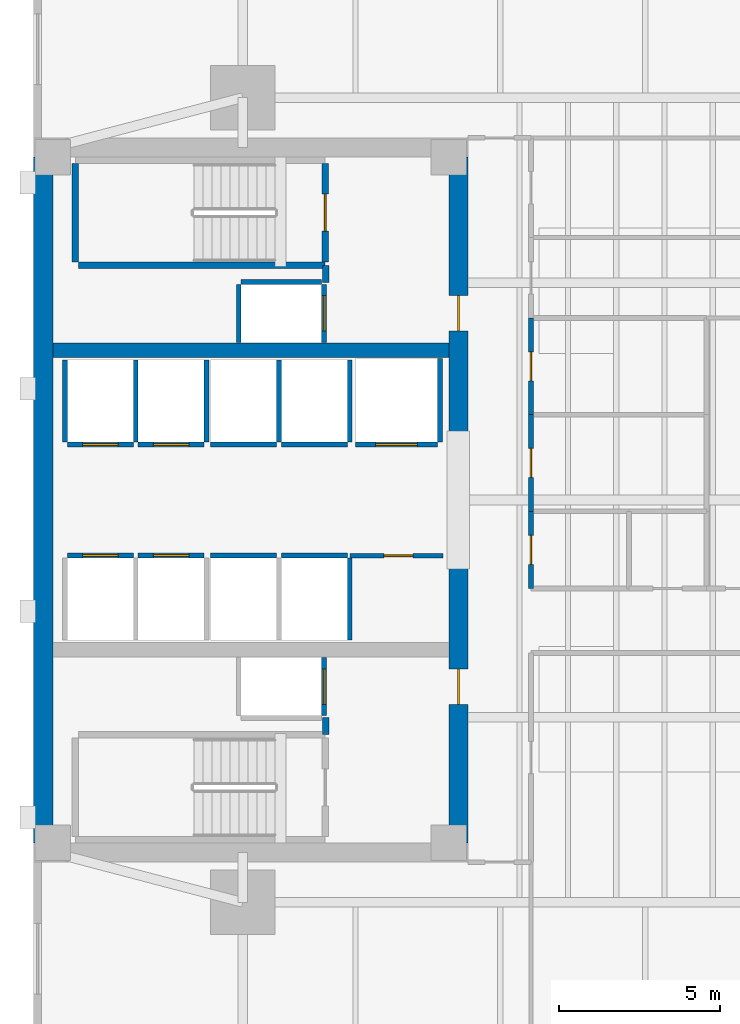
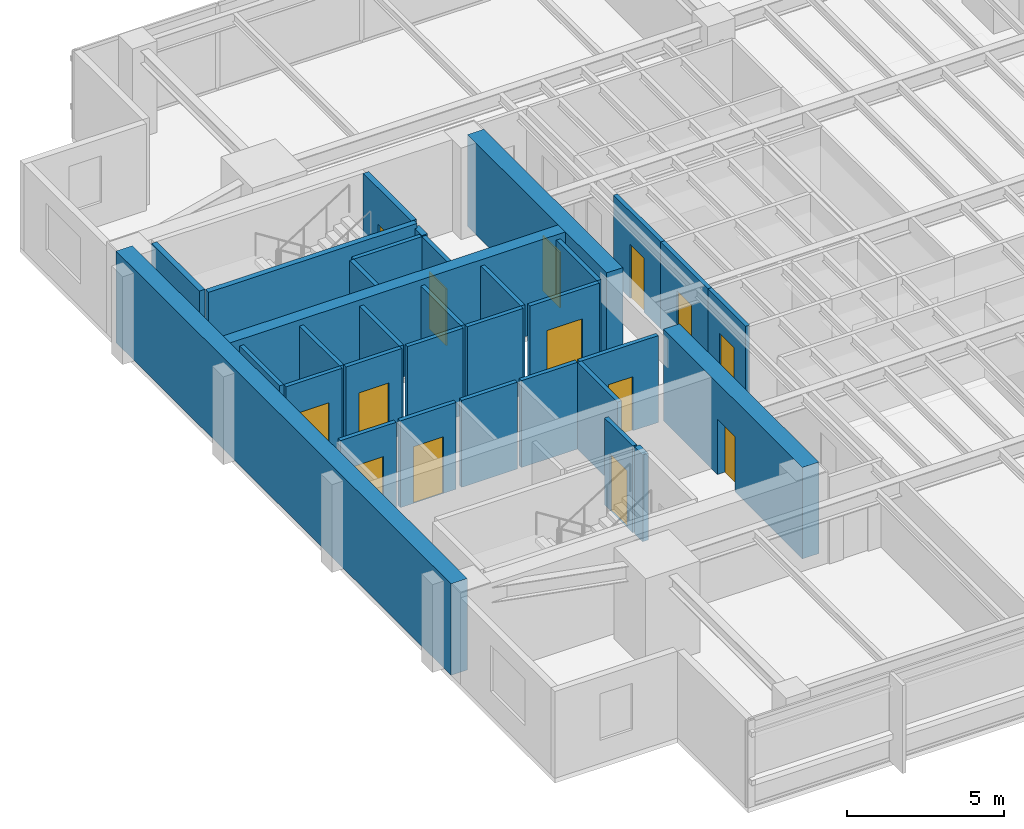
# One storey, part 8 of 15: 33 walls, 14 doors, 14 openings.
"""IFC4 building model written with IfcOpenShell, lengths in metres."""

from ifc_helpers import new_model, si_unit, direction, frame, frame_2d, origin, place, context, subcontext, project, spatial, rectangle, extrude, material, layer, layer_set, type_object, element, fill, save


model = new_model("IFC4")

# Units and contexts
model_context = context("Model", 3, precision=1e-05, world=origin(), true_north=direction((0.0, 1.0)))
body_context = subcontext(model_context, "Body", "Model", "MODEL_VIEW")
ifc_project = project(units=[si_unit("LENGTHUNIT", "METRE"), si_unit("AREAUNIT", "SQUARE_METRE"), si_unit("VOLUMEUNIT", "CUBIC_METRE"), si_unit("PLANEANGLEUNIT", "RADIAN"), si_unit("MASSUNIT", "GRAM", prefix="KILO")], contexts=[model_context])

# Site, building, storey
site_placement = place(None, origin())
site = spatial("IfcSite", under=ifc_project, at=site_placement, CompositionType="ELEMENT")
building_placement = place(site_placement, origin())
building = spatial("IfcBuilding", under=site, at=building_placement, Name="Kinhvarn Gate Tower", CompositionType="ELEMENT")
storey_placement = place(building_placement, frame((0.0, 0.0, 105.800048828125)))
storey = spatial("IfcBuildingStorey", under=building, at=storey_placement, Name="L27", CompositionType="ELEMENT", Elevation=105.800048828125)

# Wall
ifc_material_1 = material(Name="Concrete C50/60", Category="concrete")
ifc_layer_1 = layer(ifc_material_1, 0.449951171875)
ifc_layer_set_1 = layer_set([ifc_layer_1], Name="Concrete C50/60")
wall_type_1 = type_object("IfcWallType", Name="WL-CORE-450", PredefinedType="SHEAR", material=ifc_layer_set_1)
wall_1_placement = place(storey_placement, frame((5.10009765625, 29.89990234375, 0.0), z_axis=(0.0, 0.0, 1.0), x_axis=(1.0, 0.0, 0.0)))
element("IfcWall", 1, at=wall_1_placement, inside=storey, type_object=wall_type_1, Name="Core North Spine Shear Wall L27 450 mm", PredefinedType="SHEAR", context=body_context, shape_type="SweptSolid", body=[
    extrude(rectangle(XDim=12.2998046875, YDim=0.449951171875, at=frame_2d((6.14990234375, 0.0))), origin(), (0.0, 0.0, 1.0), 3.550048828125),
])

# Wall, opening, door
ifc_material_2 = material(Name="Concrete C60/75", Category="concrete")
ifc_layer_2 = layer(ifc_material_2, 0.60009765625)
ifc_layer_set_2 = layer_set([ifc_layer_2], Name="Concrete C60/75")
wall_type_2 = type_object("IfcWallType", Name="WL-CORE-600", PredefinedType="SHEAR", material=ifc_layer_set_2)
wall_2_placement = place(storey_placement, frame((17.699951171875, 14.60009765625, 0.0), z_axis=(0.0, 0.0, 1.0), x_axis=(0.0, 1.0, 0.0)))
wall_2 = element("IfcWall", 2, at=wall_2_placement, inside=storey, type_object=wall_type_2, Name="Core East-South Shear Pier L27 600 mm", PredefinedType="SHEAR", context=body_context, shape_type="SweptSolid", body=[
    extrude(rectangle(XDim=8.849853515625, YDim=0.60009765625, at=frame_2d((4.4248046875, 0.0))), origin(), (0.0, 0.0, 1.0), 3.550048828125),
])
opening_1_placement = place(wall_2_placement, frame((4.300048828125, 0.0, 0.0)))
opening_1 = element("IfcOpeningElement", 3, at=opening_1_placement, cuts=wall_2, Name="Opening FD-02", PredefinedType="OPENING", context=body_context, shape_type="SweptSolid", body=[
    extrude(rectangle(XDim=1.10009765625, YDim=2.14990234375, at=frame_2d((0.550048828125, 1.074951171875))), frame((0.0, 0.31005859375, 0.0), z_axis=(0.0, -1.0, 0.0), x_axis=(1.0, 0.0, 0.0)), (0.0, 0.0, 1.0), 0.6201171875),
])
ifc_material_3 = material(Name="Anodised aluminium AW-6063", Category="aluminium")
door_type_1 = type_object("IfcDoorType", Name="DR-FD-1100", OperationType="NOTDEFINED", PredefinedType="DOOR", material=ifc_material_3)
door_1_placement = place(opening_1_placement, origin())
door_1 = element("IfcDoor", 4, at=door_1_placement, inside=storey, type_object=door_type_1, Name="Firefighting Lobby Core Door (L27)", OperationType="SINGLE_SWING_RIGHT", OverallHeight=2.14990234375, OverallWidth=1.10009765625, PredefinedType="DOOR", context=body_context, shape_type="SweptSolid", body=[
    extrude(rectangle(XDim=1.10009765625, YDim=2.14990234375, at=frame_2d((0.550048828125, 1.074951171875))), frame((0.0, 0.02490234375, 0.0), z_axis=(0.0, -1.0, 0.0), x_axis=(1.0, 0.0, 0.0)), (0.0, 0.0, 1.0), 0.050048828125),
])
fill(opening_1, door_1)

wall_3_placement = place(storey_placement, frame((17.699951171875, 27.050048828125, 0.0), z_axis=(0.0, 0.0, 1.0), x_axis=(0.0, 1.0, 0.0)))
wall_3 = element("IfcWall", 5, at=wall_3_placement, inside=storey, type_object=wall_type_2, Name="Core East-North Shear Pier L27 600 mm", PredefinedType="SHEAR", context=body_context, shape_type="SweptSolid", body=[
    extrude(rectangle(XDim=8.849853515625, YDim=0.60009765625, at=frame_2d((4.4248046875, 0.0))), origin(), (0.0, 0.0, 1.0), 3.550048828125),
])
opening_2_placement = place(wall_3_placement, frame((3.449951171875, 0.0, 0.0)))
opening_2 = element("IfcOpeningElement", 6, at=opening_2_placement, cuts=wall_3, Name="Opening FD-02", PredefinedType="OPENING", context=body_context, shape_type="SweptSolid", body=[
    extrude(rectangle(XDim=1.10009765625, YDim=2.14990234375, at=frame_2d((0.550048828125, 1.074951171875))), frame((0.0, 0.31005859375, 0.0), z_axis=(0.0, -1.0, 0.0), x_axis=(1.0, 0.0, 0.0)), (0.0, 0.0, 1.0), 0.6201171875),
])
door_2_placement = place(opening_2_placement, origin())
door_2 = element("IfcDoor", 7, at=door_2_placement, inside=storey, type_object=door_type_1, Name="Firefighting Lobby Core Door (L27)", OperationType="SINGLE_SWING_LEFT", OverallHeight=2.14990234375, OverallWidth=1.10009765625, PredefinedType="DOOR", context=body_context, shape_type="SweptSolid", body=[
    extrude(rectangle(XDim=1.10009765625, YDim=2.14990234375, at=frame_2d((0.550048828125, 1.074951171875))), frame((0.0, 0.02490234375, 0.0), z_axis=(0.0, -1.0, 0.0), x_axis=(1.0, 0.0, 0.0)), (0.0, 0.0, 1.0), 0.050048828125),
])
fill(opening_2, door_2)

# Wall
ifc_layer_3 = layer(ifc_material_2, 0.60009765625)
ifc_layer_set_3 = layer_set([ifc_layer_3], Name="Concrete C60/75")
wall_type_3 = type_object("IfcWallType", Name="WL-COREX-600", PredefinedType="SHEAR", material=ifc_layer_set_3)
wall_4_placement = place(storey_placement, frame((4.800048828125, 14.60009765625, 0.0), z_axis=(0.0, 0.0, 1.0), x_axis=(0.0, 1.0, 0.0)))
element("IfcWall", 8, at=wall_4_placement, inside=storey, type_object=wall_type_3, Name="Core West Shear Wall L27 600 mm", PredefinedType="SHEAR", context=body_context, shape_type="SweptSolid", body=[
    extrude(rectangle(XDim=21.2998046875, YDim=0.60009765625, at=frame_2d((10.64990234375, 0.0))), origin(), (0.0, 0.0, 1.0), 3.550048828125),
])

# Wall, opening, door
ifc_material_4 = material(Name="Gypsum acoustic partition board")
ifc_layer_4 = layer(ifc_material_4, 0.14990234375)
ifc_layer_set_4 = layer_set([ifc_layer_4], Name="Gypsum acoustic partition board")
wall_type_4 = type_object("IfcWallType", Name="WL-PLM-150F", PredefinedType="PLUMBINGWALL", material=ifc_layer_set_4)
wall_5_placement = place(storey_placement, frame((19.949951171875, 22.5, 0.0), z_axis=(0.0, 0.0, 1.0), x_axis=(0.0, 1.0, 0.0)))
wall_5 = element("IfcWall", 9, at=wall_5_placement, inside=storey, type_object=wall_type_4, Name="Interior Partition PLW-150F (L27)", PredefinedType="PLUMBINGWALL", context=body_context, shape_type="SweptSolid", body=[
    extrude(rectangle(XDim=2.39990234375, YDim=0.14990234375, at=frame_2d((1.199951171875, 0.0))), origin(), (0.0, 0.0, 1.0), 3.369873046875),
])
opening_3_placement = place(wall_5_placement, frame((0.75, 0.0, 0.0)))
opening_3 = element("IfcOpeningElement", 10, at=opening_3_placement, cuts=wall_5, Name="Opening FD-04", PredefinedType="OPENING", context=body_context, shape_type="SweptSolid", body=[
    extrude(rectangle(XDim=0.89990234375, YDim=2.10009765625, at=frame_2d((0.449951171875, 1.050048828125))), frame((0.0, 0.0849609375, 0.0), z_axis=(0.0, -1.0, 0.0), x_axis=(1.0, 0.0, 0.0)), (0.0, 0.0, 1.0), 0.169921875),
])
door_type_2 = type_object("IfcDoorType", Name="DR-FD-900", OperationType="NOTDEFINED", PredefinedType="DOOR", material=ifc_material_3)
door_3_placement = place(opening_3_placement, origin())
door_3 = element("IfcDoor", 11, at=door_3_placement, inside=storey, type_object=door_type_2, Name="Rated Riser & Service Closet Fire Door 900x2100 mm (L27)", OperationType="SINGLE_SWING_LEFT", OverallHeight=2.10009765625, OverallWidth=0.89990234375, PredefinedType="DOOR", context=body_context, shape_type="SweptSolid", body=[
    extrude(rectangle(XDim=0.89990234375, YDim=2.10009765625, at=frame_2d((0.449951171875, 1.050048828125))), frame((0.0, 0.02490234375, 0.0), z_axis=(0.0, -1.0, 0.0), x_axis=(1.0, 0.0, 0.0)), (0.0, 0.0, 1.0), 0.050048828125),
])
fill(opening_3, door_3)

wall_6_placement = place(storey_placement, frame((19.949951171875, 24.89990234375, 0.0), z_axis=(0.0, 0.0, 1.0), x_axis=(0.0, 1.0, 0.0)))
wall_6 = element("IfcWall", 12, at=wall_6_placement, inside=storey, type_object=wall_type_4, Name="Interior Partition PLW-150F (L27)", PredefinedType="PLUMBINGWALL", context=body_context, shape_type="SweptSolid", body=[
    extrude(rectangle(XDim=3.0, YDim=0.14990234375, at=frame_2d((1.5, 0.0))), origin(), (0.0, 0.0, 1.0), 3.369873046875),
])
opening_4_placement = place(wall_6_placement, frame((1.050048828125, 0.0, 0.0)))
opening_4 = element("IfcOpeningElement", 13, at=opening_4_placement, cuts=wall_6, Name="Opening FD-04", PredefinedType="OPENING", context=body_context, shape_type="SweptSolid", body=[
    extrude(rectangle(XDim=0.89990234375, YDim=2.10009765625, at=frame_2d((0.449951171875, 1.050048828125))), frame((0.0, 0.0849609375, 0.0), z_axis=(0.0, -1.0, 0.0), x_axis=(1.0, 0.0, 0.0)), (0.0, 0.0, 1.0), 0.169921875),
])
door_4_placement = place(opening_4_placement, origin())
door_4 = element("IfcDoor", 14, at=door_4_placement, inside=storey, type_object=door_type_2, Name="Rated Riser & Service Closet Fire Door 900x2100 mm (L27)", OperationType="SINGLE_SWING_RIGHT", OverallHeight=2.10009765625, OverallWidth=0.89990234375, PredefinedType="DOOR", context=body_context, shape_type="SweptSolid", body=[
    extrude(rectangle(XDim=0.89990234375, YDim=2.10009765625, at=frame_2d((0.449951171875, 1.050048828125))), frame((0.0, 0.02490234375, 0.0), z_axis=(0.0, -1.0, 0.0), x_axis=(1.0, 0.0, 0.0)), (0.0, 0.0, 1.0), 0.050048828125),
])
fill(opening_4, door_4)

wall_7_placement = place(storey_placement, frame((19.949951171875, 27.89990234375, 0.0), z_axis=(0.0, 0.0, 1.0), x_axis=(0.0, 1.0, 0.0)))
wall_7 = element("IfcWall", 15, at=wall_7_placement, inside=storey, type_object=wall_type_4, Name="Interior Partition PLW-150F (L27)", PredefinedType="PLUMBINGWALL", context=body_context, shape_type="SweptSolid", body=[
    extrude(rectangle(XDim=3.0, YDim=0.14990234375, at=frame_2d((1.5, 0.0))), origin(), (0.0, 0.0, 1.0), 3.369873046875),
])
opening_5_placement = place(wall_7_placement, frame((1.050048828125, 0.0, 0.0)))
opening_5 = element("IfcOpeningElement", 16, at=opening_5_placement, cuts=wall_7, Name="Opening FD-04", PredefinedType="OPENING", context=body_context, shape_type="SweptSolid", body=[
    extrude(rectangle(XDim=0.89990234375, YDim=2.10009765625, at=frame_2d((0.449951171875, 1.050048828125))), frame((0.0, 0.0849609375, 0.0), z_axis=(0.0, -1.0, 0.0), x_axis=(1.0, 0.0, 0.0)), (0.0, 0.0, 1.0), 0.169921875),
])
door_5_placement = place(opening_5_placement, origin())
door_5 = element("IfcDoor", 17, at=door_5_placement, inside=storey, type_object=door_type_2, Name="Rated Riser & Service Closet Fire Door 900x2100 mm (L27)", OperationType="SINGLE_SWING_LEFT", OverallHeight=2.10009765625, OverallWidth=0.89990234375, PredefinedType="DOOR", context=body_context, shape_type="SweptSolid", body=[
    extrude(rectangle(XDim=0.89990234375, YDim=2.10009765625, at=frame_2d((0.449951171875, 1.050048828125))), frame((0.0, 0.02490234375, 0.0), z_axis=(0.0, -1.0, 0.0), x_axis=(1.0, 0.0, 0.0)), (0.0, 0.0, 1.0), 0.050048828125),
])
fill(opening_5, door_5)

ifc_layer_5 = layer(ifc_material_4, 0.14990234375)
ifc_layer_set_5 = layer_set([ifc_layer_5], Name="Gypsum acoustic partition board")
wall_type_5 = type_object("IfcWallType", Name="WL-PRT-150F", PredefinedType="PARTITIONING", material=ifc_layer_set_5)
wall_8_placement = place(storey_placement, frame((14.330078125, 23.52001953125, 0.0), z_axis=(0.0, 0.0, 1.0), x_axis=(1.0, 0.0, 0.0)))
wall_8 = element("IfcWall", 18, at=wall_8_placement, inside=storey, type_object=wall_type_5, Name="Interior Partition PW-150F (L27)", PredefinedType="PARTITIONING", context=body_context, shape_type="SweptSolid", body=[
    extrude(rectangle(XDim=2.889892578125, YDim=0.14990234375, at=frame_2d((1.44482421875, 0.0))), origin(), (0.0, 0.0, 1.0), 3.369873046875),
])
opening_6_placement = place(wall_8_placement, frame((1.052734375, 0.0, 0.0)))
opening_6 = element("IfcOpeningElement", 19, at=opening_6_placement, cuts=wall_8, Name="Opening FD-04", PredefinedType="OPENING", context=body_context, shape_type="SweptSolid", body=[
    extrude(rectangle(XDim=0.89990234375, YDim=2.10009765625, at=frame_2d((0.449951171875, 1.050048828125))), frame((0.0, 0.0849609375, 0.0), z_axis=(0.0, -1.0, 0.0), x_axis=(1.0, 0.0, 0.0)), (0.0, 0.0, 1.0), 0.169921875),
])
door_6_placement = place(opening_6_placement, origin())
door_6 = element("IfcDoor", 20, at=door_6_placement, inside=storey, type_object=door_type_2, Name="Rated Riser & Service Closet Fire Door 900x2100 mm (L27)", OperationType="SINGLE_SWING_RIGHT", OverallHeight=2.10009765625, OverallWidth=0.89990234375, PredefinedType="DOOR", context=body_context, shape_type="SweptSolid", body=[
    extrude(rectangle(XDim=0.89990234375, YDim=2.10009765625, at=frame_2d((0.449951171875, 1.050048828125))), frame((0.0, 0.02490234375, 0.0), z_axis=(0.0, -1.0, 0.0), x_axis=(1.0, 0.0, 0.0)), (0.0, 0.0, 1.0), 0.050048828125),
])
fill(opening_6, door_6)

# Walls
ifc_layer_6 = layer(ifc_material_4, 0.199951171875)
ifc_layer_set_6 = layer_set([ifc_layer_6], Name="Gypsum acoustic partition board")
wall_type_6 = type_object("IfcWallType", Name="WL-PRT-200", PredefinedType="PARTITIONING", material=ifc_layer_set_6)
for number, where, z_axis, x_axis, name in (
    (21, (13.580078125, 17.9599609375, 0.0), (0.0, 0.0, 1.0), (0.0, 1.0, 0.0), "Interior Partition PW-200 (L27)"),
    (22, (13.580078125, 32.0, 0.0), (0.0, 0.0, 1.0), (0.0, 1.0, 0.0), "Interior Partition PW-200 (L27)"),
):
    element("IfcWall", number, at=place(storey_placement, frame(where, z_axis=z_axis, x_axis=x_axis)), inside=storey, type_object=wall_type_6, Name=name, PredefinedType="PARTITIONING", context=body_context, shape_type="SweptSolid", body=[
        extrude(rectangle(XDim=0.5400390625, YDim=0.199951171875, at=frame_2d((0.27001953125, 0.0))), origin(), (0.0, 0.0, 1.0), 3.369873046875),
    ])

# Wall, opening, door
ifc_layer_7 = layer(ifc_material_4, 0.14990234375)
ifc_layer_set_7 = layer_set([ifc_layer_7], Name="Gypsum acoustic partition board")
wall_type_7 = type_object("IfcWallType", Name="WL-SHF-150", PredefinedType="PARTITIONING", material=ifc_layer_set_7)
wall_9_placement = place(storey_placement, frame((5.550048828125, 23.52490234375, 0.0), z_axis=(0.0, 0.0, 1.0), x_axis=(1.0, 0.0, 0.0)))
wall_9 = element("IfcWall", 23, at=wall_9_placement, inside=storey, type_object=wall_type_7, Name="Elevator PM-05 Landing Wall (L27)", PredefinedType="PARTITIONING", context=body_context, shape_type="SweptSolid", body=[
    extrude(rectangle(XDim=2.050048828125, YDim=0.14990234375, at=frame_2d((1.02490234375, 0.0))), origin(), (0.0, 0.0, 1.0), 3.369873046875),
])
opening_7_placement = place(wall_9_placement, frame((0.47509765625, 0.0, 0.0)))
opening_7 = element("IfcOpeningElement", 24, at=opening_7_placement, cuts=wall_9, Name="Opening LD-01", PredefinedType="OPENING", context=body_context, shape_type="SweptSolid", body=[
    extrude(rectangle(XDim=1.10009765625, YDim=2.199951171875, at=frame_2d((0.550048828125, 1.10009765625))), frame((0.0, 0.0849609375, 0.0), z_axis=(0.0, -1.0, 0.0), x_axis=(1.0, 0.0, 0.0)), (0.0, 0.0, 1.0), 0.169921875),
])
door_type_3 = type_object("IfcDoorType", Name="DR-LND-PAS", OperationType="NOTDEFINED", PredefinedType="DOOR", material=ifc_material_3)
door_7_placement = place(opening_7_placement, origin())
door_7 = element("IfcDoor", 25, at=door_7_placement, inside=storey, type_object=door_type_3, Name="Elevator PM-05 Sliding Landing Door (L27)", OperationType="DOUBLE_DOOR_SLIDING", OverallHeight=2.199951171875, OverallWidth=1.10009765625, PredefinedType="DOOR", context=body_context, shape_type="SweptSolid", body=[
    extrude(rectangle(XDim=1.10009765625, YDim=2.199951171875, at=frame_2d((0.550048828125, 1.10009765625))), frame((0.0, 0.02490234375, 0.0), z_axis=(0.0, -1.0, 0.0), x_axis=(1.0, 0.0, 0.0)), (0.0, 0.0, 1.0), 0.050048828125),
])
fill(opening_7, door_7)

wall_10_placement = place(storey_placement, frame((7.75, 23.52490234375, 0.0), z_axis=(0.0, 0.0, 1.0), x_axis=(1.0, 0.0, 0.0)))
wall_10 = element("IfcWall", 26, at=wall_10_placement, inside=storey, type_object=wall_type_7, Name="Elevator PM-06 Landing Wall (L27)", PredefinedType="PARTITIONING", context=body_context, shape_type="SweptSolid", body=[
    extrude(rectangle(XDim=2.050048828125, YDim=0.14990234375, at=frame_2d((1.02490234375, 0.0))), origin(), (0.0, 0.0, 1.0), 3.369873046875),
])
opening_8_placement = place(wall_10_placement, frame((0.47509765625, 0.0, 0.0)))
opening_8 = element("IfcOpeningElement", 27, at=opening_8_placement, cuts=wall_10, Name="Opening LD-01", PredefinedType="OPENING", context=body_context, shape_type="SweptSolid", body=[
    extrude(rectangle(XDim=1.10009765625, YDim=2.199951171875, at=frame_2d((0.550048828125, 1.10009765625))), frame((0.0, 0.0849609375, 0.0), z_axis=(0.0, -1.0, 0.0), x_axis=(1.0, 0.0, 0.0)), (0.0, 0.0, 1.0), 0.169921875),
])
door_8_placement = place(opening_8_placement, origin())
door_8 = element("IfcDoor", 28, at=door_8_placement, inside=storey, type_object=door_type_3, Name="Elevator PM-06 Sliding Landing Door (L27)", OperationType="DOUBLE_DOOR_SLIDING", OverallHeight=2.199951171875, OverallWidth=1.10009765625, PredefinedType="DOOR", context=body_context, shape_type="SweptSolid", body=[
    extrude(rectangle(XDim=1.10009765625, YDim=2.199951171875, at=frame_2d((0.550048828125, 1.10009765625))), frame((0.0, 0.02490234375, 0.0), z_axis=(0.0, -1.0, 0.0), x_axis=(1.0, 0.0, 0.0)), (0.0, 0.0, 1.0), 0.050048828125),
])
fill(opening_8, door_8)

wall_11_placement = place(storey_placement, frame((5.550048828125, 26.97509765625, 0.0), z_axis=(0.0, 0.0, 1.0), x_axis=(1.0, 0.0, 0.0)))
wall_11 = element("IfcWall", 29, at=wall_11_placement, inside=storey, type_object=wall_type_7, Name="Elevator PM-07 Landing Wall (L27)", PredefinedType="PARTITIONING", context=body_context, shape_type="SweptSolid", body=[
    extrude(rectangle(XDim=2.050048828125, YDim=0.14990234375, at=frame_2d((1.02490234375, 0.0))), origin(), (0.0, 0.0, 1.0), 3.369873046875),
])
opening_9_placement = place(wall_11_placement, frame((0.47509765625, 0.0, 0.0)))
opening_9 = element("IfcOpeningElement", 30, at=opening_9_placement, cuts=wall_11, Name="Opening LD-01", PredefinedType="OPENING", context=body_context, shape_type="SweptSolid", body=[
    extrude(rectangle(XDim=1.10009765625, YDim=2.199951171875, at=frame_2d((0.550048828125, 1.10009765625))), frame((0.0, 0.0849609375, 0.0), z_axis=(0.0, -1.0, 0.0), x_axis=(1.0, 0.0, 0.0)), (0.0, 0.0, 1.0), 0.169921875),
])
door_9_placement = place(opening_9_placement, origin())
door_9 = element("IfcDoor", 31, at=door_9_placement, inside=storey, type_object=door_type_3, Name="Elevator PM-07 Sliding Landing Door (L27)", OperationType="DOUBLE_DOOR_SLIDING", OverallHeight=2.199951171875, OverallWidth=1.10009765625, PredefinedType="DOOR", context=body_context, shape_type="SweptSolid", body=[
    extrude(rectangle(XDim=1.10009765625, YDim=2.199951171875, at=frame_2d((0.550048828125, 1.10009765625))), frame((0.0, 0.02490234375, 0.0), z_axis=(0.0, -1.0, 0.0), x_axis=(1.0, 0.0, 0.0)), (0.0, 0.0, 1.0), 0.050048828125),
])
fill(opening_9, door_9)

# Walls
for number, where, z_axis, x_axis, name in (
    (32, (5.47509765625, 27.050048828125, 0.0), (0.0, 0.0, 1.0), (0.0, 1.0, 0.0), "Elevator PM-07 Hoistway Wall W (L27)"),
    (33, (7.675048828125, 27.050048828125, 0.0), (0.0, 0.0, 1.0), (0.0, 1.0, 0.0), "Elevator PM-07 Hoistway Wall E (L27)"),
):
    element("IfcWall", number, at=place(storey_placement, frame(where, z_axis=z_axis, x_axis=x_axis)), inside=storey, type_object=wall_type_7, Name=name, PredefinedType="PARTITIONING", context=body_context, shape_type="SweptSolid", body=[
        extrude(rectangle(XDim=2.550048828125, YDim=0.14990234375, at=frame_2d((1.27490234375, 0.0))), origin(), (0.0, 0.0, 1.0), 3.369873046875),
    ])

# Wall, opening, door
wall_12_placement = place(storey_placement, frame((7.75, 26.97509765625, 0.0), z_axis=(0.0, 0.0, 1.0), x_axis=(1.0, 0.0, 0.0)))
wall_12 = element("IfcWall", 34, at=wall_12_placement, inside=storey, type_object=wall_type_7, Name="Elevator PM-08 Landing Wall (L27)", PredefinedType="PARTITIONING", context=body_context, shape_type="SweptSolid", body=[
    extrude(rectangle(XDim=2.050048828125, YDim=0.14990234375, at=frame_2d((1.02490234375, 0.0))), origin(), (0.0, 0.0, 1.0), 3.369873046875),
])
opening_10_placement = place(wall_12_placement, frame((0.47509765625, 0.0, 0.0)))
opening_10 = element("IfcOpeningElement", 35, at=opening_10_placement, cuts=wall_12, Name="Opening LD-01", PredefinedType="OPENING", context=body_context, shape_type="SweptSolid", body=[
    extrude(rectangle(XDim=1.10009765625, YDim=2.199951171875, at=frame_2d((0.550048828125, 1.10009765625))), frame((0.0, 0.0849609375, 0.0), z_axis=(0.0, -1.0, 0.0), x_axis=(1.0, 0.0, 0.0)), (0.0, 0.0, 1.0), 0.169921875),
])
door_10_placement = place(opening_10_placement, origin())
door_10 = element("IfcDoor", 36, at=door_10_placement, inside=storey, type_object=door_type_3, Name="Elevator PM-08 Sliding Landing Door (L27)", OperationType="DOUBLE_DOOR_SLIDING", OverallHeight=2.199951171875, OverallWidth=1.10009765625, PredefinedType="DOOR", context=body_context, shape_type="SweptSolid", body=[
    extrude(rectangle(XDim=1.10009765625, YDim=2.199951171875, at=frame_2d((0.550048828125, 1.10009765625))), frame((0.0, 0.02490234375, 0.0), z_axis=(0.0, -1.0, 0.0), x_axis=(1.0, 0.0, 0.0)), (0.0, 0.0, 1.0), 0.050048828125),
])
fill(opening_10, door_10)

# Walls
wall_13_placement = place(storey_placement, frame((9.875, 27.050048828125, 0.0), z_axis=(0.0, 0.0, 1.0), x_axis=(0.0, 1.0, 0.0)))
element("IfcWall", 37, at=wall_13_placement, inside=storey, type_object=wall_type_7, Name="Elevator PM-08 Hoistway Wall E (L27)", PredefinedType="PARTITIONING", context=body_context, shape_type="SweptSolid", body=[
    extrude(rectangle(XDim=2.550048828125, YDim=0.14990234375, at=frame_2d((1.27490234375, 0.0))), origin(), (0.0, 0.0, 1.0), 3.369873046875),
])
for number, where, z_axis, x_axis, name in (
    (38, (10.0, 23.52490234375, 0.0), (0.0, 0.0, 1.0), (1.0, 0.0, 0.0), "Elevator PH-09 Landing Wall (L27)"),
    (39, (12.199951171875, 23.52490234375, 0.0), (0.0, 0.0, 1.0), (1.0, 0.0, 0.0), "Elevator PH-10 Landing Wall (L27)"),
):
    element("IfcWall", number, at=place(storey_placement, frame(where, z_axis=z_axis, x_axis=x_axis)), inside=storey, type_object=wall_type_7, Name=name, PredefinedType="PARTITIONING", context=body_context, shape_type="SweptSolid", body=[
        extrude(rectangle(XDim=2.050048828125, YDim=0.14990234375, at=frame_2d((1.02490234375, 0.0))), origin(), (0.0, 0.0, 1.0), 3.369873046875),
    ])
wall_14_placement = place(storey_placement, frame((14.324951171875, 20.89990234375, 0.0), z_axis=(0.0, 0.0, 1.0), x_axis=(0.0, 1.0, 0.0)))
element("IfcWall", 40, at=wall_14_placement, inside=storey, type_object=wall_type_7, Name="Elevator PH-10 Hoistway Wall E (L27)", PredefinedType="PARTITIONING", context=body_context, shape_type="SweptSolid", body=[
    extrude(rectangle(XDim=2.550048828125, YDim=0.14990234375, at=frame_2d((1.27490234375, 0.0))), origin(), (0.0, 0.0, 1.0), 3.369873046875),
])
wall_15_placement = place(storey_placement, frame((10.0, 26.97509765625, 0.0), z_axis=(0.0, 0.0, 1.0), x_axis=(1.0, 0.0, 0.0)))
element("IfcWall", 41, at=wall_15_placement, inside=storey, type_object=wall_type_7, Name="Elevator PH-11 Landing Wall (L27)", PredefinedType="PARTITIONING", context=body_context, shape_type="SweptSolid", body=[
    extrude(rectangle(XDim=2.050048828125, YDim=0.14990234375, at=frame_2d((1.02490234375, 0.0))), origin(), (0.0, 0.0, 1.0), 3.369873046875),
])
wall_16_placement = place(storey_placement, frame((12.125, 27.050048828125, 0.0), z_axis=(0.0, 0.0, 1.0), x_axis=(0.0, 1.0, 0.0)))
element("IfcWall", 42, at=wall_16_placement, inside=storey, type_object=wall_type_7, Name="Elevator PH-11 Hoistway Wall E (L27)", PredefinedType="PARTITIONING", context=body_context, shape_type="SweptSolid", body=[
    extrude(rectangle(XDim=2.550048828125, YDim=0.14990234375, at=frame_2d((1.27490234375, 0.0))), origin(), (0.0, 0.0, 1.0), 3.369873046875),
])
wall_17_placement = place(storey_placement, frame((12.199951171875, 26.97509765625, 0.0), z_axis=(0.0, 0.0, 1.0), x_axis=(1.0, 0.0, 0.0)))
element("IfcWall", 43, at=wall_17_placement, inside=storey, type_object=wall_type_7, Name="Elevator PH-12 Landing Wall (L27)", PredefinedType="PARTITIONING", context=body_context, shape_type="SweptSolid", body=[
    extrude(rectangle(XDim=2.050048828125, YDim=0.14990234375, at=frame_2d((1.02490234375, 0.0))), origin(), (0.0, 0.0, 1.0), 3.369873046875),
])
wall_18_placement = place(storey_placement, frame((14.324951171875, 27.050048828125, 0.0), z_axis=(0.0, 0.0, 1.0), x_axis=(0.0, 1.0, 0.0)))
element("IfcWall", 44, at=wall_18_placement, inside=storey, type_object=wall_type_7, Name="Elevator PH-12 Hoistway Wall E (L27)", PredefinedType="PARTITIONING", context=body_context, shape_type="SweptSolid", body=[
    extrude(rectangle(XDim=2.550048828125, YDim=0.14990234375, at=frame_2d((1.27490234375, 0.0))), origin(), (0.0, 0.0, 1.0), 3.369873046875),
])

# Wall, opening, door
wall_19_placement = place(storey_placement, frame((14.5, 26.97509765625, 0.0), z_axis=(0.0, 0.0, 1.0), x_axis=(1.0, 0.0, 0.0)))
wall_19 = element("IfcWall", 45, at=wall_19_placement, inside=storey, type_object=wall_type_7, Name="Elevator SV-01 Landing Wall (L27)", PredefinedType="PARTITIONING", context=body_context, shape_type="SweptSolid", body=[
    extrude(rectangle(XDim=2.550048828125, YDim=0.14990234375, at=frame_2d((1.27490234375, 0.0))), origin(), (0.0, 0.0, 1.0), 3.369873046875),
])
opening_11_placement = place(wall_19_placement, frame((0.625, 0.0, 0.0)))
opening_11 = element("IfcOpeningElement", 46, at=opening_11_placement, cuts=wall_19, Name="Opening LD-02", PredefinedType="OPENING", context=body_context, shape_type="SweptSolid", body=[
    extrude(rectangle(XDim=1.300048828125, YDim=2.199951171875, at=frame_2d((0.64990234375, 1.10009765625))), frame((0.0, 0.0849609375, 0.0), z_axis=(0.0, -1.0, 0.0), x_axis=(1.0, 0.0, 0.0)), (0.0, 0.0, 1.0), 0.169921875),
])
door_type_4 = type_object("IfcDoorType", Name="DR-LND-SRV", OperationType="NOTDEFINED", PredefinedType="DOOR", material=ifc_material_3)
door_11_placement = place(opening_11_placement, origin())
door_11 = element("IfcDoor", 47, at=door_11_placement, inside=storey, type_object=door_type_4, Name="Elevator SV-01 Sliding Landing Door (L27)", OperationType="DOUBLE_DOOR_SLIDING", OverallHeight=2.199951171875, OverallWidth=1.300048828125, PredefinedType="DOOR", context=body_context, shape_type="SweptSolid", body=[
    extrude(rectangle(XDim=1.300048828125, YDim=2.199951171875, at=frame_2d((0.64990234375, 1.10009765625))), frame((0.0, 0.02490234375, 0.0), z_axis=(0.0, -1.0, 0.0), x_axis=(1.0, 0.0, 0.0)), (0.0, 0.0, 1.0), 0.050048828125),
])
fill(opening_11, door_11)

# Wall
wall_20_placement = place(storey_placement, frame((17.125, 27.050048828125, 0.0), z_axis=(0.0, 0.0, 1.0), x_axis=(0.0, 1.0, 0.0)))
element("IfcWall", 48, at=wall_20_placement, inside=storey, type_object=wall_type_7, Name="Elevator SV-01 Hoistway Wall E (L27)", PredefinedType="PARTITIONING", context=body_context, shape_type="SweptSolid", body=[
    extrude(rectangle(XDim=2.599853515625, YDim=0.14990234375, at=frame_2d((1.2998046875, 0.0))), origin(), (0.0, 0.0, 1.0), 3.369873046875),
])

# Wall, opening, door
wall_21_placement = place(storey_placement, frame((13.52490234375, 18.550048828125, 0.0), z_axis=(0.0, 0.0, 1.0), x_axis=(0.0, 1.0, 0.0)))
wall_21 = element("IfcWall", 49, at=wall_21_placement, inside=storey, type_object=wall_type_7, Name="Elevator FF1 Landing Wall (L27)", PredefinedType="PARTITIONING", context=body_context, shape_type="SweptSolid", body=[
    extrude(rectangle(XDim=1.800048828125, YDim=0.14990234375, at=frame_2d((0.89990234375, 0.0))), origin(), (0.0, 0.0, 1.0), 3.369873046875),
])
opening_12_placement = place(wall_21_placement, frame((0.35009765625, 0.0, 0.0)))
opening_12 = element("IfcOpeningElement", 50, at=opening_12_placement, cuts=wall_21, Name="Opening LD-03", PredefinedType="OPENING", context=body_context, shape_type="SweptSolid", body=[
    extrude(rectangle(XDim=1.10009765625, YDim=2.199951171875, at=frame_2d((0.550048828125, 1.10009765625))), frame((0.0, 0.0849609375, 0.0), z_axis=(0.0, -1.0, 0.0), x_axis=(1.0, 0.0, 0.0)), (0.0, 0.0, 1.0), 0.169921875),
])
door_type_5 = type_object("IfcDoorType", Name="DR-LND-FF", OperationType="NOTDEFINED", PredefinedType="DOOR", material=ifc_material_3)
door_12_placement = place(opening_12_placement, origin())
door_12 = element("IfcDoor", 51, at=door_12_placement, inside=storey, type_object=door_type_5, Name="Elevator FF1 Sliding Landing Door (L27)", OperationType="DOUBLE_DOOR_SLIDING", OverallHeight=2.199951171875, OverallWidth=1.10009765625, PredefinedType="DOOR", context=body_context, shape_type="SweptSolid", body=[
    extrude(rectangle(XDim=1.10009765625, YDim=2.199951171875, at=frame_2d((0.550048828125, 1.10009765625))), frame((0.0, 0.02490234375, 0.0), z_axis=(0.0, -1.0, 0.0), x_axis=(1.0, 0.0, 0.0)), (0.0, 0.0, 1.0), 0.050048828125),
])
fill(opening_12, door_12)

# Walls
wall_22_placement = place(storey_placement, frame((10.949951171875, 32.02490234375, 0.0), z_axis=(0.0, 0.0, 1.0), x_axis=(1.0, 0.0, 0.0)))
element("IfcWall", 52, at=wall_22_placement, inside=storey, type_object=wall_type_7, Name="Elevator FF2 Hoistway Wall N (L27)", PredefinedType="PARTITIONING", context=body_context, shape_type="SweptSolid", body=[
    extrude(rectangle(XDim=2.5, YDim=0.14990234375, at=frame_2d((1.25, 0.0))), origin(), (0.0, 0.0, 1.0), 3.369873046875),
])
wall_23_placement = place(storey_placement, frame((10.875, 30.14990234375, 0.0), z_axis=(0.0, 0.0, 1.0), x_axis=(0.0, 1.0, 0.0)))
element("IfcWall", 53, at=wall_23_placement, inside=storey, type_object=wall_type_7, Name="Elevator FF2 Hoistway Wall W (L27)", PredefinedType="PARTITIONING", context=body_context, shape_type="SweptSolid", body=[
    extrude(rectangle(XDim=1.800048828125, YDim=0.14990234375, at=frame_2d((0.89990234375, 0.0))), origin(), (0.0, 0.0, 1.0), 3.369873046875),
])

# Wall, opening, door
wall_24_placement = place(storey_placement, frame((13.52490234375, 30.14990234375, 0.0), z_axis=(0.0, 0.0, 1.0), x_axis=(0.0, 1.0, 0.0)))
wall_24 = element("IfcWall", 54, at=wall_24_placement, inside=storey, type_object=wall_type_7, Name="Elevator FF2 Landing Wall (L27)", PredefinedType="PARTITIONING", context=body_context, shape_type="SweptSolid", body=[
    extrude(rectangle(XDim=1.800048828125, YDim=0.14990234375, at=frame_2d((0.89990234375, 0.0))), origin(), (0.0, 0.0, 1.0), 3.369873046875),
])
opening_13_placement = place(wall_24_placement, frame((0.35009765625, 0.0, 0.0)))
opening_13 = element("IfcOpeningElement", 55, at=opening_13_placement, cuts=wall_24, Name="Opening LD-03", PredefinedType="OPENING", context=body_context, shape_type="SweptSolid", body=[
    extrude(rectangle(XDim=1.10009765625, YDim=2.199951171875, at=frame_2d((0.550048828125, 1.10009765625))), frame((0.0, 0.0849609375, 0.0), z_axis=(0.0, -1.0, 0.0), x_axis=(1.0, 0.0, 0.0)), (0.0, 0.0, 1.0), 0.169921875),
])
door_13_placement = place(opening_13_placement, origin())
door_13 = element("IfcDoor", 56, at=door_13_placement, inside=storey, type_object=door_type_5, Name="Elevator FF2 Sliding Landing Door (L27)", OperationType="DOUBLE_DOOR_SLIDING", OverallHeight=2.199951171875, OverallWidth=1.10009765625, PredefinedType="DOOR", context=body_context, shape_type="SweptSolid", body=[
    extrude(rectangle(XDim=1.10009765625, YDim=2.199951171875, at=frame_2d((0.550048828125, 1.10009765625))), frame((0.0, 0.02490234375, 0.0), z_axis=(0.0, -1.0, 0.0), x_axis=(1.0, 0.0, 0.0)), (0.0, 0.0, 1.0), 0.050048828125),
])
fill(opening_13, door_13)

# Walls
ifc_material_5 = material(Name="Concrete C40/50", Category="concrete")
ifc_layer_8 = layer(ifc_material_5, 0.199951171875)
ifc_layer_set_8 = layer_set([ifc_layer_8], Name="Concrete C40/50")
wall_type_8 = type_object("IfcWallType", Name="WL-SHF-200", PredefinedType="SOLIDWALL", material=ifc_layer_set_8)
wall_25_placement = place(storey_placement, frame((5.7900390625, 32.64990234375, 0.0), z_axis=(0.0, 0.0, 1.0), x_axis=(0.0, 1.0, 0.0)))
element("IfcWall", 57, at=wall_25_placement, inside=storey, type_object=wall_type_8, Name="Stair ST2 West Shaft Wall (L27)", PredefinedType="SOLIDWALL", context=body_context, shape_type="SweptSolid", body=[
    extrude(rectangle(XDim=3.050048828125, YDim=0.199951171875, at=frame_2d((1.52490234375, 0.0))), origin(), (0.0, 0.0, 1.0), 3.550048828125),
])
wall_26_placement = place(storey_placement, frame((5.89990234375, 32.5400390625, 0.0), z_axis=(0.0, 0.0, 1.0), x_axis=(1.0, 0.0, 0.0)))
element("IfcWall", 58, at=wall_26_placement, inside=storey, type_object=wall_type_8, Name="Stair ST2 South Shaft Wall (L27)", PredefinedType="SOLIDWALL", context=body_context, shape_type="SweptSolid", body=[
    extrude(rectangle(XDim=7.66015625, YDim=0.199951171875, at=frame_2d((3.830078125, 0.0))), origin(), (0.0, 0.0, 1.0), 3.550048828125),
])

# Wall, opening, door
wall_27_placement = place(storey_placement, frame((13.56005859375, 32.64990234375, 0.0), z_axis=(0.0, 0.0, 1.0), x_axis=(0.0, 1.0, 0.0)))
wall_27 = element("IfcWall", 59, at=wall_27_placement, inside=storey, type_object=wall_type_8, Name="Stair ST2 East Entry Wall (L27)", PredefinedType="SOLIDWALL", context=body_context, shape_type="SweptSolid", body=[
    extrude(rectangle(XDim=3.050048828125, YDim=0.199951171875, at=frame_2d((1.52490234375, 0.0))), origin(), (0.0, 0.0, 1.0), 3.550048828125),
])
opening_14_placement = place(wall_27_placement, frame((0.949951171875, 0.0, 0.0)))
opening_14 = element("IfcOpeningElement", 60, at=opening_14_placement, cuts=wall_27, Name="Opening FD-01", PredefinedType="OPENING", context=body_context, shape_type="SweptSolid", body=[
    extrude(rectangle(XDim=1.14990234375, YDim=2.14990234375, at=frame_2d((0.574951171875, 1.074951171875))), frame((0.0, 0.10986328125, 0.0), z_axis=(0.0, -1.0, 0.0), x_axis=(1.0, 0.0, 0.0)), (0.0, 0.0, 1.0), 0.219970703125),
])
door_type_6 = type_object("IfcDoorType", Name="DR-ST-1150", OperationType="NOTDEFINED", PredefinedType="DOOR", material=ifc_material_3)
door_14_placement = place(opening_14_placement, origin())
door_14 = element("IfcDoor", 61, at=door_14_placement, inside=storey, type_object=door_type_6, Name="Exit Stair ST2 Fire Door (L27)", OperationType="SINGLE_SWING_RIGHT", OverallHeight=2.14990234375, OverallWidth=1.14990234375, PredefinedType="DOOR", context=body_context, shape_type="SweptSolid", body=[
    extrude(rectangle(XDim=1.14990234375, YDim=2.14990234375, at=frame_2d((0.574951171875, 1.074951171875))), frame((0.0, 0.02490234375, 0.0), z_axis=(0.0, -1.0, 0.0), x_axis=(1.0, 0.0, 0.0)), (0.0, 0.0, 1.0), 0.050048828125),
])
fill(opening_14, door_14)

save(model, "model.ifc")
